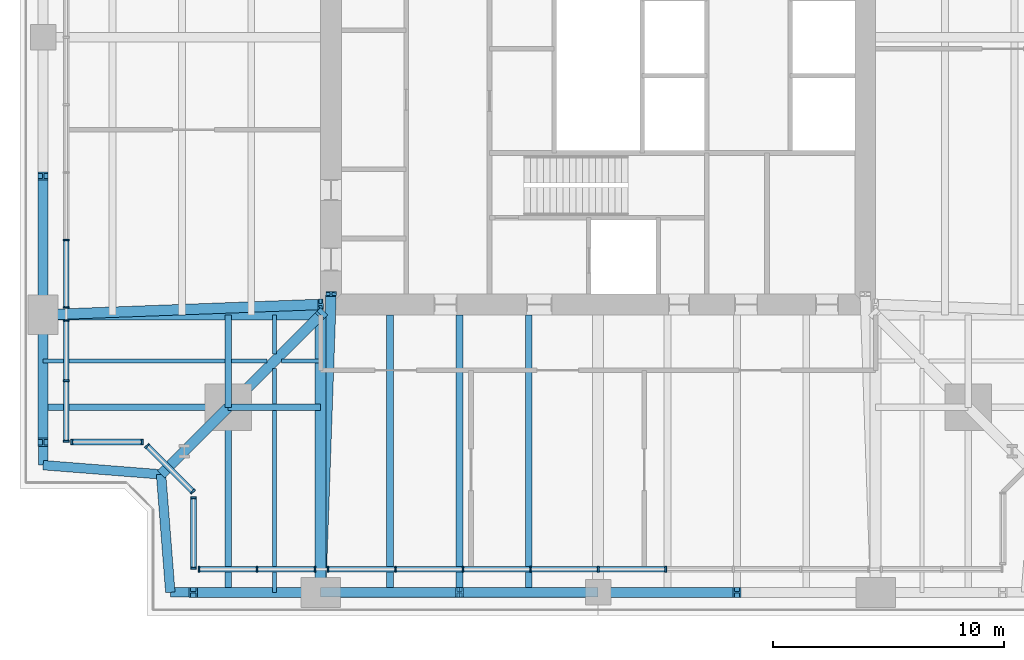
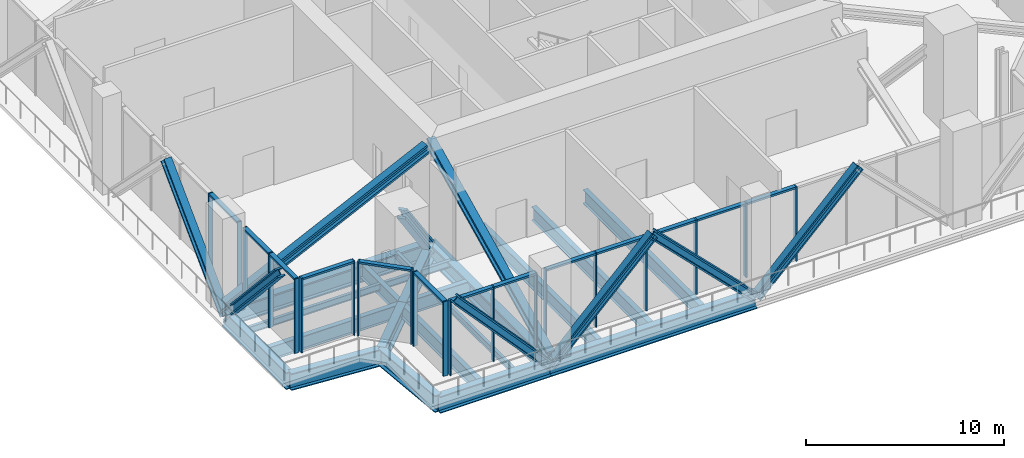
# One storey, part 2 of 14: 42 members, 22 beams, 7 elements without a shape of their own.
"""IFC4 building model written with IfcOpenShell, lengths in metres."""

from ifc_helpers import new_model, si_unit, direction, frame, origin, origin_2d, place, context, subcontext, project, spatial, rectangle, i_section, extrude, material, material_profile, profile_set, type_object, element, aggregate, save


model = new_model("IFC4")

# Units and contexts
model_context = context("Model", 3, precision=1e-05, world=origin(), true_north=direction((0.0, 1.0)))
body_context = subcontext(model_context, "Body", "Model", "MODEL_VIEW")
ifc_project = project(units=[si_unit("LENGTHUNIT", "METRE"), si_unit("AREAUNIT", "SQUARE_METRE"), si_unit("VOLUMEUNIT", "CUBIC_METRE"), si_unit("PLANEANGLEUNIT", "RADIAN"), si_unit("MASSUNIT", "GRAM", prefix="KILO")], contexts=[model_context])

# Site, building, storey
site_placement = place(None, origin())
site = spatial("IfcSite", under=ifc_project, at=site_placement, CompositionType="ELEMENT")
building_placement = place(site_placement, origin())
building = spatial("IfcBuilding", under=site, at=building_placement, Name="Fenwick Lantern Interchange", CompositionType="ELEMENT")
storey_placement = place(building_placement, frame((0.0, 0.0, 233.800048828125)))
storey = spatial("IfcBuildingStorey", under=building, at=storey_placement, Name="L55", CompositionType="ELEMENT", Elevation=233.800048828125)

# Members
ifc_material_1 = material(Name="Steel ASTM A992 Grade 50", Category="steel")
ifc_material_profile_1 = material_profile(ifc_material_1, i_section(OverallWidth=0.431884765625, OverallDepth=0.497802734375, WebThickness=0.0556640625, FlangeThickness=0.0888671875, at=origin_2d()), Name="W14X500")
ifc_profile_set_1 = profile_set([ifc_material_profile_1], Name="Steel ASTM A992 Grade 50")
member_type_1 = type_object("IfcMemberType", Name="BELT TRUSS DIAGONAL W14X500", PredefinedType="BRACE", material=ifc_profile_set_1)
member_1_placement = place(storey_placement, frame((13.0, 1.0, -0.650146484375), z_axis=(-0.675724628517, 0.0, 0.737154140201), x_axis=(0.0, -1.0, 0.0)))
element("IfcMember", 1, at=member_1_placement, inside=storey, type_object=member_type_1, Name="L55/BT/S/D1", PredefinedType="BRACE", context=body_context, shape_type="SweptSolid", body=[
    extrude(i_section(OverallWidth=0.431884765625, OverallDepth=0.497802734375, WebThickness=0.0556640625, FlangeThickness=0.0888671875, at=origin_2d()), origin(), (0.0, 0.0, 1.0), 8.139404296875),
])
for number, where, z_axis, x_axis, name in (
    (2, (13.0, 1.0, -0.650146484375), (0.707106781187, 0.0, 0.707106781187), (0.0, 1.0, 0.0), "L55/BT/S/D2"),
    (3, (25.0, 1.0, -0.650146484375), (-0.707106781187, 0.0, 0.707106781187), (0.0, -1.0, 0.0), "L55/BT/S/D3"),
    (4, (25.0, 1.0, -0.650146484375), (0.707106781187, 0.0, 0.707106781187), (0.0, 1.0, 0.0), "L55/BT/S/D4"),
    (5, (1.0, 13.0, -0.650146484375), (0.0, 0.707106781187, 0.707106781187), (-1.0, 0.0, 0.0), "L55/BT/W/D5"),
):
    element("IfcMember", number, at=place(storey_placement, frame(where, z_axis=z_axis, x_axis=x_axis)), inside=storey, type_object=member_type_1, Name=name, PredefinedType="BRACE", context=body_context, shape_type="SweptSolid", body=[
        extrude(i_section(OverallWidth=0.431884765625, OverallDepth=0.497802734375, WebThickness=0.0556640625, FlangeThickness=0.0888671875, at=origin_2d()), origin(), (0.0, 0.0, 1.0), 8.4853515625),
    ])
member_2_placement = place(storey_placement, frame((1.0, 13.0, -0.650146484375), z_axis=(0.0, -0.675724628517, 0.737154140201), x_axis=(1.0, 0.0, 0.0)))
element("IfcMember", 6, at=member_2_placement, inside=storey, type_object=member_type_1, Name="L55/BT/W/D6", PredefinedType="BRACE", context=body_context, shape_type="SweptSolid", body=[
    extrude(i_section(OverallWidth=0.431884765625, OverallDepth=0.497802734375, WebThickness=0.0556640625, FlangeThickness=0.0888671875, at=origin_2d()), origin(), (0.0, 0.0, 1.0), 8.139404296875),
])

# Beams
ifc_material_profile_2 = material_profile(ifc_material_1, i_section(OverallWidth=0.408935546875, OverallDepth=1.04150390625, WebThickness=0.031005859375, FlangeThickness=0.055908203125, at=origin_2d()), Name="W40X397")
ifc_profile_set_2 = profile_set([ifc_material_profile_2], Name="Steel ASTM A992 Grade 50")
beam_type_1 = type_object("IfcBeamType", Name="EDGE BEAM W40X397", PredefinedType="SPANDREL", material=ifc_profile_set_2)
beam_1_placement = place(storey_placement, frame((6.5, 1.0, -0.720703125), z_axis=(1.0, 0.0, 0.0), x_axis=(0.0, 1.0, 0.0)))
element("IfcBeam", 7, at=beam_1_placement, inside=storey, type_object=beam_type_1, Name="L55/FR/S/EB1", PredefinedType="SPANDREL", context=body_context, shape_type="SweptSolid", body=[
    extrude(i_section(OverallWidth=0.408935546875, OverallDepth=1.04150390625, WebThickness=0.031005859375, FlangeThickness=0.055908203125, at=origin_2d()), origin(), (0.0, 0.0, 1.0), 6.5),
])
beam_2_placement = place(storey_placement, frame((13.0, 1.0, -0.720703125), z_axis=(1.0, 0.0, 0.0), x_axis=(0.0, 1.0, 0.0)))
element("IfcBeam", 8, at=beam_2_placement, inside=storey, type_object=beam_type_1, Name="L55/FR/S/EB2", PredefinedType="SPANDREL", context=body_context, shape_type="SweptSolid", body=[
    extrude(i_section(OverallWidth=0.408935546875, OverallDepth=1.04150390625, WebThickness=0.031005859375, FlangeThickness=0.055908203125, at=origin_2d()), origin(), (0.0, 0.0, 1.0), 12.0),
])
beam_3_placement = place(storey_placement, frame((1.0, 13.0, -0.720703125), z_axis=(0.0, -1.0, 0.0), x_axis=(1.0, 0.0, 0.0)))
element("IfcBeam", 9, at=beam_3_placement, inside=storey, type_object=beam_type_1, Name="L55/FR/W/EB4", PredefinedType="SPANDREL", context=body_context, shape_type="SweptSolid", body=[
    extrude(i_section(OverallWidth=0.408935546875, OverallDepth=1.04150390625, WebThickness=0.031005859375, FlangeThickness=0.055908203125, at=origin_2d()), origin(), (0.0, 0.0, 1.0), 6.5),
])
for number, where, z_axis, x_axis, name in (
    (10, (1.0, 6.5, -0.720703125), (0.99693998236, -0.078170784639, 0.0), (0.078170784639, 0.99693998236, 0.0), "L55/FR/W/EBR1"),
    (11, (6.10009765625, 6.10009765625, -0.720703125), (0.078170784639, -0.99693998236, 0.0), (0.99693998236, 0.078170784639, 0.0), "L55/FR/W/EBR2"),
):
    element("IfcBeam", number, at=place(storey_placement, frame(where, z_axis=z_axis, x_axis=x_axis)), inside=storey, type_object=beam_type_1, Name=name, PredefinedType="SPANDREL", context=body_context, shape_type="SweptSolid", body=[
        extrude(i_section(OverallWidth=0.408935546875, OverallDepth=1.04150390625, WebThickness=0.031005859375, FlangeThickness=0.055908203125, at=origin_2d()), origin(), (0.0, 0.0, 1.0), 5.11572265625),
    ])
ifc_material_profile_3 = material_profile(ifc_material_1, i_section(OverallWidth=0.2919921875, OverallDepth=0.845703125, WebThickness=0.015380859375, FlangeThickness=0.0244140625, at=origin_2d()), Name="W33X141")
ifc_profile_set_3 = profile_set([ifc_material_profile_3], Name="Steel ASTM A992 Grade 50")
beam_type_2 = type_object("IfcBeamType", Name="FLOOR BEAM W33X141", PredefinedType="BEAM", material=ifc_profile_set_3)
for number, where, z_axis, x_axis, name in (
    (12, (16.0, 1.0, -0.623046875), (0.0, 1.0, 0.0), (-1.0, 0.0, 0.0), "L55/FR/S/R02"),
    (13, (19.0, 1.0, -0.623046875), (0.0, 1.0, 0.0), (-1.0, 0.0, 0.0), "L55/FR/S/R03"),
    (14, (22.0, 1.0, -0.623046875), (0.0, 1.0, 0.0), (-1.0, 0.0, 0.0), "L55/FR/S/R04"),
):
    element("IfcBeam", number, at=place(storey_placement, frame(where, z_axis=z_axis, x_axis=x_axis)), inside=storey, type_object=beam_type_2, Name=name, PredefinedType="BEAM", context=body_context, shape_type="SweptSolid", body=[
        extrude(i_section(OverallWidth=0.2919921875, OverallDepth=0.845703125, WebThickness=0.015380859375, FlangeThickness=0.0244140625, at=origin_2d()), origin(), (0.0, 0.0, 1.0), 12.0),
    ])
ifc_material_profile_4 = material_profile(ifc_material_1, i_section(OverallWidth=0.177734375, OverallDepth=0.406494140625, WebThickness=0.0078125, FlangeThickness=0.012939453125, at=origin_2d()), Name="W16X40")
ifc_profile_set_4 = profile_set([ifc_material_profile_4], Name="Steel ASTM A992 Grade 50")
beam_type_3 = type_object("IfcBeamType", Name="INFILL BEAM W16X40", PredefinedType="JOIST", material=ifc_profile_set_4)
beam_4_placement = place(storey_placement, frame((11.0, 1.0, -0.4033203125), z_axis=(0.0, 1.0, 0.0), x_axis=(-1.0, 0.0, 0.0)))
element("IfcBeam", 15, at=beam_4_placement, inside=storey, type_object=beam_type_3, Name="L55/FR/S/J1", PredefinedType="JOIST", context=body_context, shape_type="SweptSolid", body=[
    extrude(i_section(OverallWidth=0.177734375, OverallDepth=0.406494140625, WebThickness=0.0078125, FlangeThickness=0.012939453125, at=origin_2d()), origin(), (0.0, 0.0, 1.0), 7.85400390625),
])
beam_5_placement = place(storey_placement, frame((11.0, 9.14599609375, -0.4033203125), z_axis=(0.0, 1.0, 0.0), x_axis=(-1.0, 0.0, 0.0)))
element("IfcBeam", 16, at=beam_5_placement, inside=storey, type_object=beam_type_3, Name="L55/FR/S/J2", PredefinedType="JOIST", context=body_context, shape_type="SweptSolid", body=[
    extrude(i_section(OverallWidth=0.177734375, OverallDepth=0.406494140625, WebThickness=0.0078125, FlangeThickness=0.012939453125, at=origin_2d()), origin(), (0.0, 0.0, 1.0), 1.537841796875),
])
beam_6_placement = place(storey_placement, frame((11.0, 11.316162109375, -0.4033203125), z_axis=(0.0, 1.0, 0.0), x_axis=(-1.0, 0.0, 0.0)))
element("IfcBeam", 17, at=beam_6_placement, inside=storey, type_object=beam_type_3, Name="L55/FR/S/J6", PredefinedType="JOIST", context=body_context, shape_type="SweptSolid", body=[
    extrude(i_section(OverallWidth=0.177734375, OverallDepth=0.406494140625, WebThickness=0.0078125, FlangeThickness=0.012939453125, at=origin_2d()), origin(), (0.0, 0.0, 1.0), 1.683837890625),
])
beam_7_placement = place(storey_placement, frame((1.0, 11.0, -0.4033203125), z_axis=(1.0, 0.0, 0.0), x_axis=(0.0, 1.0, 0.0)))
element("IfcBeam", 18, at=beam_7_placement, inside=storey, type_object=beam_type_3, Name="L55/FR/S/J3", PredefinedType="JOIST", context=body_context, shape_type="SweptSolid", body=[
    extrude(i_section(OverallWidth=0.177734375, OverallDepth=0.406494140625, WebThickness=0.0078125, FlangeThickness=0.012939453125, at=origin_2d()), origin(), (0.0, 0.0, 1.0), 7.85400390625),
])
beam_8_placement = place(storey_placement, frame((9.14599609375, 11.0, -0.4033203125), z_axis=(1.0, 0.0, 0.0), x_axis=(0.0, 1.0, 0.0)))
element("IfcBeam", 19, at=beam_8_placement, inside=storey, type_object=beam_type_3, Name="L55/FR/S/J4", PredefinedType="JOIST", context=body_context, shape_type="SweptSolid", body=[
    extrude(i_section(OverallWidth=0.177734375, OverallDepth=0.406494140625, WebThickness=0.0078125, FlangeThickness=0.012939453125, at=origin_2d()), origin(), (0.0, 0.0, 1.0), 1.537841796875),
])
beam_9_placement = place(storey_placement, frame((11.316162109375, 11.0, -0.4033203125), z_axis=(1.0, 0.0, 0.0), x_axis=(0.0, 1.0, 0.0)))
element("IfcBeam", 20, at=beam_9_placement, inside=storey, type_object=beam_type_3, Name="L55/FR/S/J5", PredefinedType="JOIST", context=body_context, shape_type="SweptSolid", body=[
    extrude(i_section(OverallWidth=0.177734375, OverallDepth=0.406494140625, WebThickness=0.0078125, FlangeThickness=0.012939453125, at=origin_2d()), origin(), (0.0, 0.0, 1.0), 1.683837890625),
])
ifc_material_profile_5 = material_profile(ifc_material_1, i_section(OverallWidth=0.2919921875, OverallDepth=0.845703125, WebThickness=0.015380859375, FlangeThickness=0.0244140625, at=origin_2d()), Name="W33X141")
ifc_profile_set_5 = profile_set([ifc_material_profile_5], Name="Steel ASTM A992 Grade 50")
beam_type_4 = type_object("IfcBeamType", Name="MEGA COLUMN BEAM W33X141", PredefinedType="BEAM", material=ifc_profile_set_5)
for number, where, z_axis, x_axis, name in (
    (21, (9.0, 9.0, -0.623046875), (0.0, -1.0, 0.0), (1.0, 0.0, 0.0), "L55/FR/S/MB1"),
    (22, (9.0, 9.0, -0.623046875), (-1.0, 0.0, 0.0), (0.0, -1.0, 0.0), "L55/FR/S/MB2"),
):
    element("IfcBeam", number, at=place(storey_placement, frame(where, z_axis=z_axis, x_axis=x_axis)), inside=storey, type_object=beam_type_4, Name=name, PredefinedType="BEAM", context=body_context, shape_type="SweptSolid", body=[
        extrude(i_section(OverallWidth=0.2919921875, OverallDepth=0.845703125, WebThickness=0.015380859375, FlangeThickness=0.0244140625, at=origin_2d()), origin(), (0.0, 0.0, 1.0), 8.0),
    ])
for number, where, z_axis, x_axis, name in (
    (23, (9.0, 9.0, -0.623046875), (1.0, 0.0, 0.0), (0.0, 1.0, 0.0), "L55/FR/S/MB3"),
    (24, (9.0, 9.0, -0.623046875), (0.0, 1.0, 0.0), (-1.0, 0.0, 0.0), "L55/FR/S/MB4"),
):
    element("IfcBeam", number, at=place(storey_placement, frame(where, z_axis=z_axis, x_axis=x_axis)), inside=storey, type_object=beam_type_4, Name=name, PredefinedType="BEAM", context=body_context, shape_type="SweptSolid", body=[
        extrude(i_section(OverallWidth=0.2919921875, OverallDepth=0.845703125, WebThickness=0.015380859375, FlangeThickness=0.0244140625, at=origin_2d()), origin(), (0.0, 0.0, 1.0), 4.0),
    ])
ifc_material_profile_6 = material_profile(ifc_material_1, i_section(OverallWidth=0.447021484375, OverallDepth=1.0439453125, WebThickness=0.050048828125, FlangeThickness=0.08984375, at=origin_2d()), Name="W36X652")
ifc_profile_set_6 = profile_set([ifc_material_profile_6], Name="Steel ASTM A992 Grade 50")
beam_type_5 = type_object("IfcBeamType", Name="MOMENT-CONNECTED GIRDER W36X652", PredefinedType="BEAM", material=ifc_profile_set_6)
beam_10_placement = place(storey_placement, frame((1.0, 13.0, -0.721923828125), z_axis=(1.0, 0.0, 0.0), x_axis=(0.0, 1.0, 0.0)))
element("IfcBeam", 25, at=beam_10_placement, inside=storey, type_object=beam_type_5, Name="L55/FR/W/R03", PredefinedType="BEAM", context=body_context, shape_type="SweptSolid", body=[
    extrude(i_section(OverallWidth=0.447021484375, OverallDepth=1.0439453125, WebThickness=0.050048828125, FlangeThickness=0.08984375, at=origin_2d()), origin(), (0.0, 0.0, 1.0), 12.0),
])
ifc_material_profile_7 = material_profile(ifc_material_1, i_section(OverallWidth=0.472412109375, OverallDepth=1.0947265625, WebThickness=0.07666015625, FlangeThickness=0.114990234375, at=origin_2d()), Name="W36X925")
ifc_profile_set_7 = profile_set([ifc_material_profile_7], Name="Steel ASTM A992 Grade 50")
beam_type_6 = type_object("IfcBeamType", Name="MOMENT-CONNECTED GIRDER W36X925", PredefinedType="BEAM", material=ifc_profile_set_7)
beam_11_placement = place(storey_placement, frame((13.0, 1.0, -0.747314453125), z_axis=(0.0, 1.0, 0.0), x_axis=(-1.0, 0.0, 0.0)))
element("IfcBeam", 26, at=beam_11_placement, inside=storey, type_object=beam_type_6, Name="L55/FR/S/R01", PredefinedType="BEAM", context=body_context, shape_type="SweptSolid", body=[
    extrude(i_section(OverallWidth=0.472412109375, OverallDepth=1.0947265625, WebThickness=0.07666015625, FlangeThickness=0.114990234375, at=origin_2d()), origin(), (0.0, 0.0, 1.0), 12.0),
])
ifc_material_profile_8 = material_profile(ifc_material_1, i_section(OverallWidth=0.447021484375, OverallDepth=1.0439453125, WebThickness=0.050048828125, FlangeThickness=0.08984375, at=origin_2d()), Name="W36X652")
ifc_profile_set_8 = profile_set([ifc_material_profile_8], Name="Steel ASTM A992 Grade 50")
beam_type_7 = type_object("IfcBeamType", Name="NOTCH BEAM W36X652", PredefinedType="BEAM", material=ifc_profile_set_8)
beam_12_placement = place(storey_placement, frame((9.0, 9.0, -0.721923828125), z_axis=(-0.707106781187, -0.707106781187, 0.0), x_axis=(0.707106781187, -0.707106781187, 0.0)))
element("IfcBeam", 27, at=beam_12_placement, inside=storey, type_object=beam_type_7, Name="L55/FR/S/TG", PredefinedType="BEAM", context=body_context, shape_type="SweptSolid", body=[
    extrude(i_section(OverallWidth=0.447021484375, OverallDepth=1.0439453125, WebThickness=0.050048828125, FlangeThickness=0.08984375, at=origin_2d()), origin(), (0.0, 0.0, 1.0), 4.10107421875),
])
ifc_material_profile_9 = material_profile(ifc_material_1, i_section(OverallWidth=0.447021484375, OverallDepth=1.0439453125, WebThickness=0.050048828125, FlangeThickness=0.08984375, at=origin_2d()), Name="W36X652")
ifc_profile_set_9 = profile_set([ifc_material_profile_9], Name="Steel ASTM A992 Grade 50")
beam_type_8 = type_object("IfcBeamType", Name="OUTRIGGER CHORD W36X652", PredefinedType="BEAM", material=ifc_profile_set_9)
beam_13_placement = place(storey_placement, frame((13.0, 13.0, -0.721923828125), z_axis=(-0.707106781187, -0.707106781187, 0.0), x_axis=(0.707106781187, -0.707106781187, 0.0)))
element("IfcBeam", 28, at=beam_13_placement, inside=storey, type_object=beam_type_8, Name="L55/OR/S/BC", PredefinedType="BEAM", context=body_context, shape_type="SweptSolid", body=[
    extrude(i_section(OverallWidth=0.447021484375, OverallDepth=1.0439453125, WebThickness=0.050048828125, FlangeThickness=0.08984375, at=origin_2d()), origin(), (0.0, 0.0, 1.0), 5.65673828125),
])

# Members
ifc_material_profile_10 = material_profile(ifc_material_1, i_section(OverallWidth=0.45458984375, OverallDepth=0.56884765625, WebThickness=0.077880859375, FlangeThickness=0.124755859375, at=origin_2d()), Name="W14X730")
ifc_profile_set_10 = profile_set([ifc_material_profile_10], Name="Steel ASTM A992 Grade 50")
member_type_2 = type_object("IfcMemberType", Name="OUTRIGGER DIAGONAL W14X730", PredefinedType="BRACE", material=ifc_profile_set_10)
member_3_placement = place(storey_placement, frame((13.0, 13.0, -0.721923828125), z_axis=(-0.485071250073, -0.485071250073, 0.727606875109), x_axis=(0.707106781187, -0.707106781187, 0.0)))
element("IfcMember", 29, at=member_3_placement, inside=storey, type_object=member_type_2, Name="L55/OR/S/D", PredefinedType="BRACE", context=body_context, shape_type="SweptSolid", body=[
    extrude(i_section(OverallWidth=0.45458984375, OverallDepth=0.56884765625, WebThickness=0.077880859375, FlangeThickness=0.124755859375, at=origin_2d()), origin(), (0.0, 0.0, 1.0), 8.24609375),
])
member_4_placement = place(storey_placement, frame((13.0, 1.0, 0.0), z_axis=(0.032287919116, 0.925680450498, 0.376925979266), x_axis=(-0.999392240336, 0.034859001078, 0.0)))
element("IfcMember", 30, at=member_4_placement, inside=storey, type_object=member_type_2, Name="L55/OR/S/W1", PredefinedType="BRACE", context=body_context, shape_type="SweptSolid", body=[
    extrude(i_section(OverallWidth=0.45458984375, OverallDepth=0.56884765625, WebThickness=0.077880859375, FlangeThickness=0.124755859375, at=origin_2d()), origin(), (0.0, 0.0, 1.0), 13.935546875),
])
member_5_placement = place(storey_placement, frame((1.0, 13.0, 0.0), z_axis=(0.914830425653, 0.034302418507, 0.402378722579), x_axis=(-0.037469600146, 0.999297767968, 0.0)))
element("IfcMember", 31, at=member_5_placement, inside=storey, type_object=member_type_2, Name="L55/OR/W/W2", PredefinedType="BRACE", context=body_context, shape_type="SweptSolid", body=[
    extrude(i_section(OverallWidth=0.45458984375, OverallDepth=0.56884765625, WebThickness=0.077880859375, FlangeThickness=0.124755859375, at=origin_2d()), origin(), (0.0, 0.0, 1.0), 13.1171875),
])

# Curtain wall, members
ifc_material_2 = material(Name="Aluminium curtain wall frame", Category="aluminium")
curtain_wall_type = type_object("IfcCurtainWallType", Name="PLANT LOUVRE SCREEN", PredefinedType="USERDEFINED", material=ifc_material_2)
curtain_wall_1_placement = place(storey_placement, origin())
curtain_wall_1 = element("IfcCurtainWall", 32, at=curtain_wall_1_placement, inside=storey, type_object=curtain_wall_type, Name="Plant louvre screen 12B", ObjectType="PLANT LOUVRE SCREEN", PredefinedType="USERDEFINED")
ifc_material_3 = material(Name="Aluminium extrusion", Category="aluminium")
ifc_material_profile_11 = material_profile(ifc_material_3, rectangle(XDim=0.25, YDim=0.074951171875, at=origin_2d()), Name="PLANT LOUVRE SCREEN MULLION 75 X 250")
ifc_profile_set_11 = profile_set([ifc_material_profile_11], Name="Aluminium extrusion")
member_type_3 = type_object("IfcMemberType", Name="PLANT LOUVRE SCREEN MULLION 75 X 250", PredefinedType="MULLION", material=ifc_profile_set_11)
member_6_placement = place(storey_placement, frame((2.0, 16.23779296875, 0.0), z_axis=(0.0, 0.0, 1.0), x_axis=(1.0, 0.0, 0.0)))
member_6 = element("IfcMember", 33, at=member_6_placement, type_object=member_type_3, Name="L55/CW/12B/M07", PredefinedType="MULLION", context=body_context, shape_type="SweptSolid", body=[
    extrude(rectangle(XDim=0.25, YDim=0.074951171875, at=origin_2d()), origin(), (0.0, 0.0, 1.0), 4.599853515625),
])
member_7_placement = place(storey_placement, frame((2.0, 13.317138671875, 0.0), z_axis=(0.0, 0.0, 1.0), x_axis=(1.0, 0.0, 0.0)))
member_7 = element("IfcMember", 34, at=member_7_placement, type_object=member_type_3, Name="L55/CW/12B/M08", PredefinedType="MULLION", context=body_context, shape_type="SweptSolid", body=[
    extrude(rectangle(XDim=0.25, YDim=0.074951171875, at=origin_2d()), origin(), (0.0, 0.0, 1.0), 4.599853515625),
])

curtain_wall_2_placement = place(storey_placement, origin())
curtain_wall_2 = element("IfcCurtainWall", 35, at=curtain_wall_2_placement, inside=storey, type_object=curtain_wall_type, Name="Plant louvre screen 12C", ObjectType="PLANT LOUVRE SCREEN", PredefinedType="USERDEFINED")
member_8_placement = place(storey_placement, frame((2.0, 12.7578125, 0.0), z_axis=(0.0, 0.0, 1.0), x_axis=(1.0, 0.0, 0.0)))
member_8 = element("IfcMember", 36, at=member_8_placement, type_object=member_type_3, Name="L55/CW/12C/M00", PredefinedType="MULLION", context=body_context, shape_type="SweptSolid", body=[
    extrude(rectangle(XDim=0.25, YDim=0.074951171875, at=origin_2d()), origin(), (0.0, 0.0, 1.0), 4.599853515625),
])
member_9_placement = place(storey_placement, frame((2.0, 10.147705078125, 0.0), z_axis=(0.0, 0.0, 1.0), x_axis=(1.0, 0.0, 0.0)))
member_9 = element("IfcMember", 37, at=member_9_placement, type_object=member_type_3, Name="L55/CW/12C/M01", PredefinedType="MULLION", context=body_context, shape_type="SweptSolid", body=[
    extrude(rectangle(XDim=0.25, YDim=0.074951171875, at=origin_2d()), origin(), (0.0, 0.0, 1.0), 4.599853515625),
])
member_10_placement = place(storey_placement, frame((2.0, 7.53759765625, 0.0), z_axis=(0.0, 0.0, 1.0), x_axis=(1.0, 0.0, 0.0)))
member_10 = element("IfcMember", 38, at=member_10_placement, type_object=member_type_3, Name="L55/CW/12C/M02", PredefinedType="MULLION", context=body_context, shape_type="SweptSolid", body=[
    extrude(rectangle(XDim=0.25, YDim=0.074951171875, at=origin_2d()), origin(), (0.0, 0.0, 1.0), 4.599853515625),
])

curtain_wall_3_placement = place(storey_placement, origin())
curtain_wall_3 = element("IfcCurtainWall", 39, at=curtain_wall_3_placement, inside=storey, type_object=curtain_wall_type, Name="Plant louvre screen 13", ObjectType="PLANT LOUVRE SCREEN", PredefinedType="USERDEFINED")
member_11_placement = place(storey_placement, frame((2.237548828125, 7.5, 0.0), z_axis=(0.0, 0.0, 1.0), x_axis=(0.0, 1.0, 0.0)))
member_11 = element("IfcMember", 40, at=member_11_placement, type_object=member_type_3, Name="L55/CW/13/M00", PredefinedType="MULLION", context=body_context, shape_type="SweptSolid", body=[
    extrude(rectangle(XDim=0.25, YDim=0.074951171875, at=origin_2d()), origin(), (0.0, 0.0, 1.0), 4.599853515625),
])
member_12_placement = place(storey_placement, frame((5.291015625, 7.5, 0.0), z_axis=(0.0, 0.0, 1.0), x_axis=(0.0, 1.0, 0.0)))
member_12 = element("IfcMember", 41, at=member_12_placement, type_object=member_type_3, Name="L55/CW/13/M01", PredefinedType="MULLION", context=body_context, shape_type="SweptSolid", body=[
    extrude(rectangle(XDim=0.25, YDim=0.074951171875, at=origin_2d()), origin(), (0.0, 0.0, 1.0), 4.599853515625),
])

curtain_wall_4_placement = place(storey_placement, origin())
curtain_wall_4 = element("IfcCurtainWall", 42, at=curtain_wall_4_placement, inside=storey, type_object=curtain_wall_type, Name="Plant louvre screen 14", ObjectType="PLANT LOUVRE SCREEN", PredefinedType="USERDEFINED")
member_13_placement = place(storey_placement, frame((5.496337890625, 7.33203125, 0.0), z_axis=(0.0, 0.0, 1.0), x_axis=(0.707106781187, 0.707106781187, 0.0)))
member_13 = element("IfcMember", 43, at=member_13_placement, type_object=member_type_3, Name="L55/CW/14/M00", PredefinedType="MULLION", context=body_context, shape_type="SweptSolid", body=[
    extrude(rectangle(XDim=0.25, YDim=0.074951171875, at=origin_2d()), origin(), (0.0, 0.0, 1.0), 4.599853515625),
])
member_14_placement = place(storey_placement, frame((7.473388671875, 5.35498046875, 0.0), z_axis=(0.0, 0.0, 1.0), x_axis=(0.707106781187, 0.707106781187, 0.0)))
member_14 = element("IfcMember", 44, at=member_14_placement, type_object=member_type_3, Name="L55/CW/14/M01", PredefinedType="MULLION", context=body_context, shape_type="SweptSolid", body=[
    extrude(rectangle(XDim=0.25, YDim=0.074951171875, at=origin_2d()), origin(), (0.0, 0.0, 1.0), 4.599853515625),
])

curtain_wall_5_placement = place(storey_placement, origin())
curtain_wall_5 = element("IfcCurtainWall", 45, at=curtain_wall_5_placement, inside=storey, type_object=curtain_wall_type, Name="Plant louvre screen 15", ObjectType="PLANT LOUVRE SCREEN", PredefinedType="USERDEFINED")
member_15_placement = place(storey_placement, frame((7.5, 5.0908203125, 0.0), z_axis=(0.0, 0.0, 1.0), x_axis=(1.0, 0.0, 0.0)))
member_15 = element("IfcMember", 46, at=member_15_placement, type_object=member_type_3, Name="L55/CW/15/M00", PredefinedType="MULLION", context=body_context, shape_type="SweptSolid", body=[
    extrude(rectangle(XDim=0.25, YDim=0.074951171875, at=origin_2d()), origin(), (0.0, 0.0, 1.0), 4.599853515625),
])
member_16_placement = place(storey_placement, frame((7.5, 2.03759765625, 0.0), z_axis=(0.0, 0.0, 1.0), x_axis=(1.0, 0.0, 0.0)))
member_16 = element("IfcMember", 47, at=member_16_placement, type_object=member_type_3, Name="L55/CW/15/M01", PredefinedType="MULLION", context=body_context, shape_type="SweptSolid", body=[
    extrude(rectangle(XDim=0.25, YDim=0.074951171875, at=origin_2d()), origin(), (0.0, 0.0, 1.0), 4.599853515625),
])

curtain_wall_6_placement = place(storey_placement, origin())
curtain_wall_6 = element("IfcCurtainWall", 48, at=curtain_wall_6_placement, inside=storey, type_object=curtain_wall_type, Name="Plant louvre screen 16A", ObjectType="PLANT LOUVRE SCREEN", PredefinedType="USERDEFINED")
member_17_placement = place(storey_placement, frame((7.737548828125, 2.0, 0.0), z_axis=(0.0, 0.0, 1.0), x_axis=(0.0, 1.0, 0.0)))
member_17 = element("IfcMember", 49, at=member_17_placement, type_object=member_type_3, Name="L55/CW/16A/M00", PredefinedType="MULLION", context=body_context, shape_type="SweptSolid", body=[
    extrude(rectangle(XDim=0.25, YDim=0.074951171875, at=origin_2d()), origin(), (0.0, 0.0, 1.0), 4.599853515625),
])
member_18_placement = place(storey_placement, frame((10.24658203125, 2.0, 0.0), z_axis=(0.0, 0.0, 1.0), x_axis=(0.0, 1.0, 0.0)))
member_18 = element("IfcMember", 50, at=member_18_placement, type_object=member_type_3, Name="L55/CW/16A/M01", PredefinedType="MULLION", context=body_context, shape_type="SweptSolid", body=[
    extrude(rectangle(XDim=0.25, YDim=0.074951171875, at=origin_2d()), origin(), (0.0, 0.0, 1.0), 4.599853515625),
])
member_19_placement = place(storey_placement, frame((12.755615234375, 2.0, 0.0), z_axis=(0.0, 0.0, 1.0), x_axis=(0.0, 1.0, 0.0)))
member_19 = element("IfcMember", 51, at=member_19_placement, type_object=member_type_3, Name="L55/CW/16A/M02", PredefinedType="MULLION", context=body_context, shape_type="SweptSolid", body=[
    extrude(rectangle(XDim=0.25, YDim=0.074951171875, at=origin_2d()), origin(), (0.0, 0.0, 1.0), 4.599853515625),
])

curtain_wall_7_placement = place(storey_placement, origin())
curtain_wall_7 = element("IfcCurtainWall", 52, at=curtain_wall_7_placement, inside=storey, type_object=curtain_wall_type, Name="Plant louvre screen 16B", ObjectType="PLANT LOUVRE SCREEN", PredefinedType="USERDEFINED")
member_20_placement = place(storey_placement, frame((13.314208984375, 2.0, 0.0), z_axis=(0.0, 0.0, 1.0), x_axis=(0.0, 1.0, 0.0)))
member_20 = element("IfcMember", 53, at=member_20_placement, type_object=member_type_3, Name="L55/CW/16B/M00", PredefinedType="MULLION", context=body_context, shape_type="SweptSolid", body=[
    extrude(rectangle(XDim=0.25, YDim=0.074951171875, at=origin_2d()), origin(), (0.0, 0.0, 1.0), 4.599853515625),
])
member_21_placement = place(storey_placement, frame((16.235595703125, 2.0, 0.0), z_axis=(0.0, 0.0, 1.0), x_axis=(0.0, 1.0, 0.0)))
member_21 = element("IfcMember", 54, at=member_21_placement, type_object=member_type_3, Name="L55/CW/16B/M01", PredefinedType="MULLION", context=body_context, shape_type="SweptSolid", body=[
    extrude(rectangle(XDim=0.25, YDim=0.074951171875, at=origin_2d()), origin(), (0.0, 0.0, 1.0), 4.599853515625),
])
member_22_placement = place(storey_placement, frame((19.1572265625, 2.0, 0.0), z_axis=(0.0, 0.0, 1.0), x_axis=(0.0, 1.0, 0.0)))
member_22 = element("IfcMember", 55, at=member_22_placement, type_object=member_type_3, Name="L55/CW/16B/M02", PredefinedType="MULLION", context=body_context, shape_type="SweptSolid", body=[
    extrude(rectangle(XDim=0.25, YDim=0.074951171875, at=origin_2d()), origin(), (0.0, 0.0, 1.0), 4.599853515625),
])
member_23_placement = place(storey_placement, frame((22.07861328125, 2.0, 0.0), z_axis=(0.0, 0.0, 1.0), x_axis=(0.0, 1.0, 0.0)))
member_23 = element("IfcMember", 56, at=member_23_placement, type_object=member_type_3, Name="L55/CW/16B/M03", PredefinedType="MULLION", context=body_context, shape_type="SweptSolid", body=[
    extrude(rectangle(XDim=0.25, YDim=0.074951171875, at=origin_2d()), origin(), (0.0, 0.0, 1.0), 4.599853515625),
])
member_24_placement = place(storey_placement, frame((25.0, 2.0, 0.0), z_axis=(0.0, 0.0, 1.0), x_axis=(0.0, 1.0, 0.0)))
member_24 = element("IfcMember", 57, at=member_24_placement, type_object=member_type_3, Name="L55/CW/16B/M04", PredefinedType="MULLION", context=body_context, shape_type="SweptSolid", body=[
    extrude(rectangle(XDim=0.25, YDim=0.074951171875, at=origin_2d()), origin(), (0.0, 0.0, 1.0), 4.599853515625),
])
member_25_placement = place(storey_placement, frame((27.92138671875, 2.0, 0.0), z_axis=(0.0, 0.0, 1.0), x_axis=(0.0, 1.0, 0.0)))
member_25 = element("IfcMember", 58, at=member_25_placement, type_object=member_type_3, Name="L55/CW/16B/M05", PredefinedType="MULLION", context=body_context, shape_type="SweptSolid", body=[
    extrude(rectangle(XDim=0.25, YDim=0.074951171875, at=origin_2d()), origin(), (0.0, 0.0, 1.0), 4.599853515625),
])

# Member
ifc_material_profile_12 = material_profile(ifc_material_3, rectangle(XDim=0.25, YDim=0.1201171875, at=origin_2d()), Name="PLANT LOUVRE SCREEN TRANSOM 120 X 250")
ifc_profile_set_12 = profile_set([ifc_material_profile_12], Name="Aluminium extrusion")
member_type_4 = type_object("IfcMemberType", Name="PLANT LOUVRE SCREEN TRANSOM 120 X 250", PredefinedType="MULLION", material=ifc_profile_set_12)
member_26_placement = place(storey_placement, frame((2.0, 16.200439453125, 4.5400390625), z_axis=(0.0, -1.0, 0.0), x_axis=(1.0, 0.0, 0.0)))
member_26 = element("IfcMember", 59, at=member_26_placement, type_object=member_type_4, Name="L55/CW/12B/T07", PredefinedType="MULLION", context=body_context, shape_type="SweptSolid", body=[
    extrude(rectangle(XDim=0.25, YDim=0.1201171875, at=origin_2d()), origin(), (0.0, 0.0, 1.0), 2.845703125),
])

aggregate(curtain_wall_1, [member_6, member_7, member_26])

member_27_placement = place(storey_placement, frame((2.0, 12.72021484375, 4.5400390625), z_axis=(0.0, -1.0, 0.0), x_axis=(1.0, 0.0, 0.0)))
member_27 = element("IfcMember", 60, at=member_27_placement, type_object=member_type_4, Name="L55/CW/12C/T00", PredefinedType="MULLION", context=body_context, shape_type="SweptSolid", body=[
    extrude(rectangle(XDim=0.25, YDim=0.1201171875, at=origin_2d()), origin(), (0.0, 0.0, 1.0), 2.53515625),
])

member_28_placement = place(storey_placement, frame((2.0, 10.110107421875, 4.5400390625), z_axis=(0.0, -1.0, 0.0), x_axis=(1.0, 0.0, 0.0)))
member_28 = element("IfcMember", 61, at=member_28_placement, type_object=member_type_4, Name="L55/CW/12C/T01", PredefinedType="MULLION", context=body_context, shape_type="SweptSolid", body=[
    extrude(rectangle(XDim=0.25, YDim=0.1201171875, at=origin_2d()), origin(), (0.0, 0.0, 1.0), 2.53515625),
])

aggregate(curtain_wall_2, [member_8, member_9, member_10, member_27, member_28])

member_29_placement = place(storey_placement, frame((2.27490234375, 7.5, 4.5400390625), z_axis=(1.0, 0.0, 0.0), x_axis=(0.0, 1.0, 0.0)))
member_29 = element("IfcMember", 62, at=member_29_placement, type_object=member_type_4, Name="L55/CW/13/T00", PredefinedType="MULLION", context=body_context, shape_type="SweptSolid", body=[
    extrude(rectangle(XDim=0.25, YDim=0.1201171875, at=origin_2d()), origin(), (0.0, 0.0, 1.0), 2.978515625),
])

aggregate(curtain_wall_3, [member_11, member_12, member_29])

member_30_placement = place(storey_placement, frame((5.52294921875, 7.3056640625, 4.5400390625), z_axis=(0.707061921121, -0.707151638406, 0.0), x_axis=(0.707151638406, 0.707061921121, 0.0)))
member_30 = element("IfcMember", 63, at=member_30_placement, type_object=member_type_4, Name="L55/CW/14/T00", PredefinedType="MULLION", context=body_context, shape_type="SweptSolid", body=[
    extrude(rectangle(XDim=0.25, YDim=0.1201171875, at=origin_2d()), origin(), (0.0, 0.0, 1.0), 2.72119140625),
])

aggregate(curtain_wall_4, [member_13, member_14, member_30])

member_31_placement = place(storey_placement, frame((7.5, 5.053466796875, 4.5400390625), z_axis=(0.0, -1.0, 0.0), x_axis=(1.0, 0.0, 0.0)))
member_31 = element("IfcMember", 64, at=member_31_placement, type_object=member_type_4, Name="L55/CW/15/T00", PredefinedType="MULLION", context=body_context, shape_type="SweptSolid", body=[
    extrude(rectangle(XDim=0.25, YDim=0.1201171875, at=origin_2d()), origin(), (0.0, 0.0, 1.0), 2.978515625),
])

aggregate(curtain_wall_5, [member_15, member_16, member_31])

member_32_placement = place(storey_placement, frame((7.77490234375, 2.0, 4.5400390625), z_axis=(1.0, 0.0, 0.0), x_axis=(0.0, 1.0, 0.0)))
member_32 = element("IfcMember", 65, at=member_32_placement, type_object=member_type_4, Name="L55/CW/16A/T00", PredefinedType="MULLION", context=body_context, shape_type="SweptSolid", body=[
    extrude(rectangle(XDim=0.25, YDim=0.1201171875, at=origin_2d()), origin(), (0.0, 0.0, 1.0), 2.43408203125),
])

member_33_placement = place(storey_placement, frame((10.283935546875, 2.0, 4.5400390625), z_axis=(1.0, 0.0, 0.0), x_axis=(0.0, 1.0, 0.0)))
member_33 = element("IfcMember", 66, at=member_33_placement, type_object=member_type_4, Name="L55/CW/16A/T01", PredefinedType="MULLION", context=body_context, shape_type="SweptSolid", body=[
    extrude(rectangle(XDim=0.25, YDim=0.1201171875, at=origin_2d()), origin(), (0.0, 0.0, 1.0), 2.43408203125),
])

aggregate(curtain_wall_6, [member_17, member_18, member_19, member_32, member_33])

member_34_placement = place(storey_placement, frame((13.351806640625, 2.0, 4.5400390625), z_axis=(1.0, 0.0, 0.0), x_axis=(0.0, 1.0, 0.0)))
member_34 = element("IfcMember", 67, at=member_34_placement, type_object=member_type_4, Name="L55/CW/16B/T00", PredefinedType="MULLION", context=body_context, shape_type="SweptSolid", body=[
    extrude(rectangle(XDim=0.25, YDim=0.1201171875, at=origin_2d()), origin(), (0.0, 0.0, 1.0), 2.846435546875),
])

member_35_placement = place(storey_placement, frame((16.273193359375, 2.0, 4.5400390625), z_axis=(1.0, 0.0, 0.0), x_axis=(0.0, 1.0, 0.0)))
member_35 = element("IfcMember", 68, at=member_35_placement, type_object=member_type_4, Name="L55/CW/16B/T01", PredefinedType="MULLION", context=body_context, shape_type="SweptSolid", body=[
    extrude(rectangle(XDim=0.25, YDim=0.1201171875, at=origin_2d()), origin(), (0.0, 0.0, 1.0), 2.846435546875),
])

member_36_placement = place(storey_placement, frame((19.194580078125, 2.0, 4.5400390625), z_axis=(1.0, 0.0, 0.0), x_axis=(0.0, 1.0, 0.0)))
member_36 = element("IfcMember", 69, at=member_36_placement, type_object=member_type_4, Name="L55/CW/16B/T02", PredefinedType="MULLION", context=body_context, shape_type="SweptSolid", body=[
    extrude(rectangle(XDim=0.25, YDim=0.1201171875, at=origin_2d()), origin(), (0.0, 0.0, 1.0), 2.846435546875),
])

member_37_placement = place(storey_placement, frame((22.115966796875, 2.0, 4.5400390625), z_axis=(1.0, 0.0, 0.0), x_axis=(0.0, 1.0, 0.0)))
member_37 = element("IfcMember", 70, at=member_37_placement, type_object=member_type_4, Name="L55/CW/16B/T03", PredefinedType="MULLION", context=body_context, shape_type="SweptSolid", body=[
    extrude(rectangle(XDim=0.25, YDim=0.1201171875, at=origin_2d()), origin(), (0.0, 0.0, 1.0), 2.846435546875),
])

member_38_placement = place(storey_placement, frame((25.03759765625, 2.0, 4.5400390625), z_axis=(1.0, 0.0, 0.0), x_axis=(0.0, 1.0, 0.0)))
member_38 = element("IfcMember", 71, at=member_38_placement, type_object=member_type_4, Name="L55/CW/16B/T04", PredefinedType="MULLION", context=body_context, shape_type="SweptSolid", body=[
    extrude(rectangle(XDim=0.25, YDim=0.1201171875, at=origin_2d()), origin(), (0.0, 0.0, 1.0), 2.846435546875),
])

aggregate(curtain_wall_7, [member_20, member_21, member_22, member_23, member_24, member_25, member_34, member_35, member_36, member_37, member_38])

save(model, "model.ifc")
